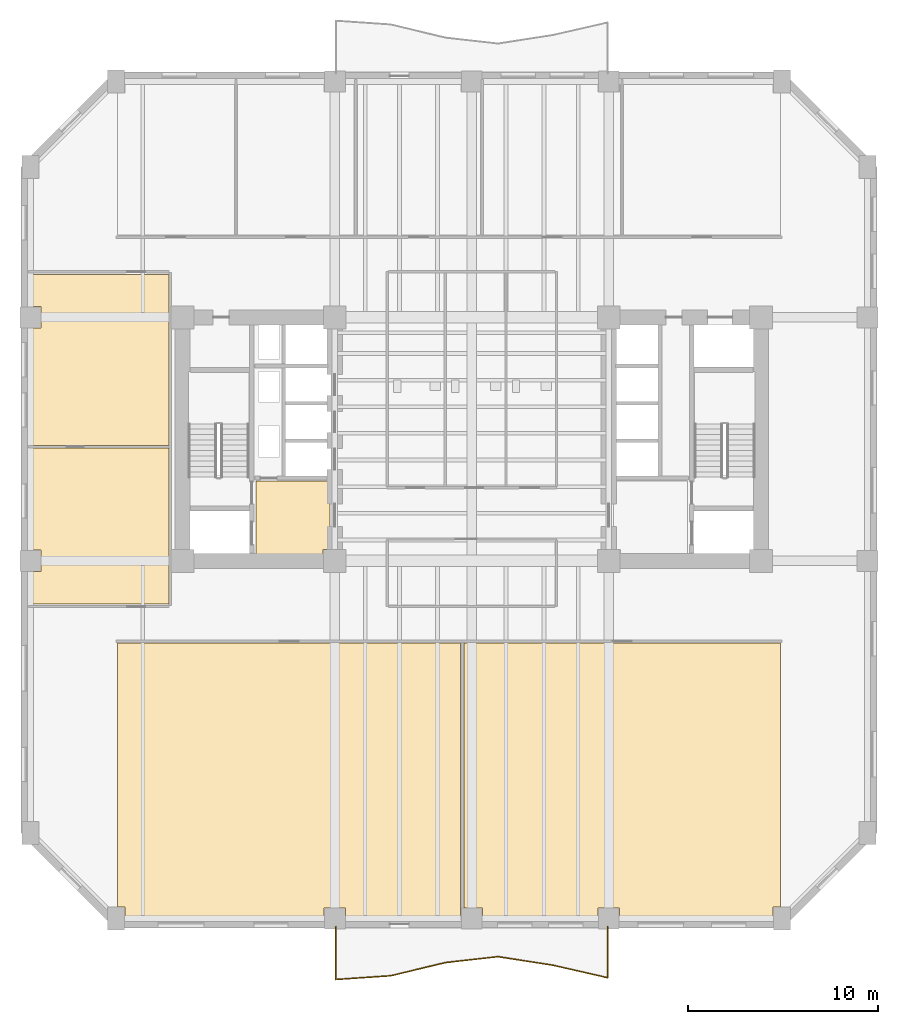
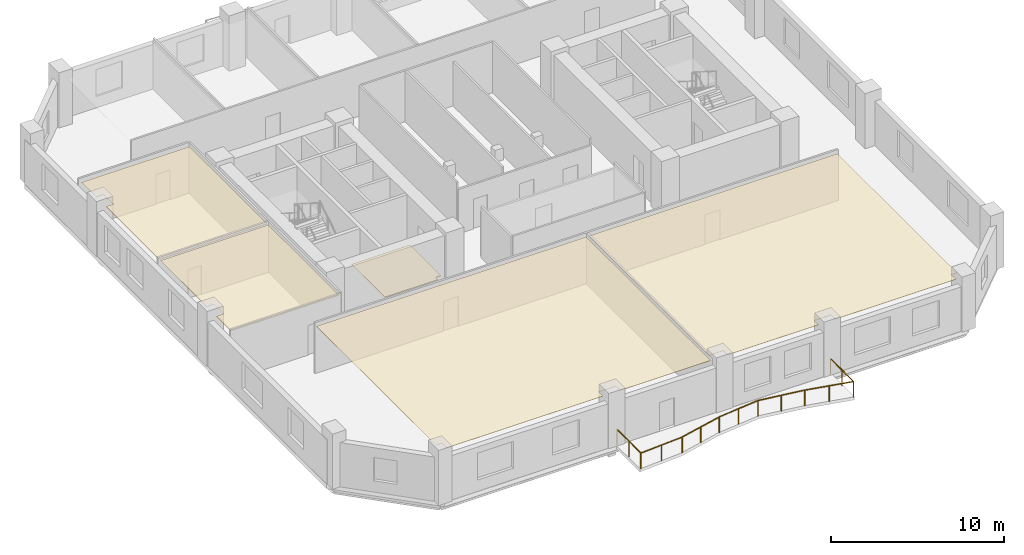
# One storey, part 6 of 9: 5 coverings, 1 railing.
"""IFC4 building model written with IfcOpenShell, lengths in metres."""

from ifc_helpers import new_model, si_unit, direction, frame, origin, origin_2d, place, context, subcontext, project, spatial, polyline, circle, outline, extrude, material, layer, layer_set, type_object, element, save


model = new_model("IFC4")

# Units and contexts
model_context = context("Model", 3, precision=1e-05, world=origin(), true_north=direction((0.0, 1.0)))
body_context = subcontext(model_context, "Body", "Model", "MODEL_VIEW")
ifc_project = project(units=[si_unit("LENGTHUNIT", "METRE"), si_unit("AREAUNIT", "SQUARE_METRE"), si_unit("VOLUMEUNIT", "CUBIC_METRE"), si_unit("PLANEANGLEUNIT", "RADIAN"), si_unit("MASSUNIT", "GRAM", prefix="KILO")], contexts=[model_context])

# Site, building, storey
site_placement = place(None, origin())
site = spatial("IfcSite", under=ifc_project, at=site_placement, CompositionType="ELEMENT")
building_placement = place(site_placement, origin())
building = spatial("IfcBuilding", under=site, at=building_placement, Name="Kranthara Brick Stack", CompositionType="ELEMENT")
storey_placement = place(building_placement, frame((0.0, 0.0, 28.199951171875)))
storey = spatial("IfcBuildingStorey", under=building, at=storey_placement, Name="L06", CompositionType="ELEMENT", Elevation=28.199951171875)

# Coverings
ifc_material_1 = material(Name="Perforated mineral-fibre acoustic ceiling tile", Category="other")
ifc_layer_1 = layer(ifc_material_1, 0.02490234375)
ifc_layer_set_1 = layer_set([ifc_layer_1], Name="Perforated mineral-fibre acoustic ceiling tile")
covering_type_1 = type_object("IfcCoveringType", Name="COV-CEIL-ACOUSTIC", PredefinedType="CEILING", material=ifc_layer_set_1)
covering_1_placement = place(storey_placement, frame((0.0, 0.0, 3.330078125)))
element("IfcCovering", 1, at=covering_1_placement, inside=storey, type_object=covering_type_1, Name="L06 L06 Open Plan Workspace 1 Acoustic Ceiling", PredefinedType="CEILING", context=body_context, shape_type="SweptSolid", body=[
    extrude(outline(polyline([(27.419921875, 16.47998046875), (27.419921875, 2.070068359375), (21.360107421875, 2.070068359375), (21.360107421875, 2.56005859375), (20.239990234375, 2.56005859375), (20.239990234375, 2.070068359375), (9.760009765625, 2.070068359375), (9.760009765625, 2.610107421875), (9.3798828125, 2.610107421875), (9.3798828125, 16.47998046875), (27.419921875, 16.47998046875)])), origin(), (0.0, 0.0, 1.0), 0.02490234375),
])
covering_2_placement = place(storey_placement, frame((0.0, 0.0, 3.330078125)))
element("IfcCovering", 2, at=covering_2_placement, inside=storey, type_object=covering_type_1, Name="L06 L06 Collaboration Lounge 2 Acoustic Ceiling", PredefinedType="CEILING", context=body_context, shape_type="SweptSolid", body=[
    extrude(outline(polyline([(44.219970703125, 2.610107421875), (43.840087890625, 2.610107421875), (43.840087890625, 2.070068359375), (35.760009765625, 2.070068359375), (35.760009765625, 2.56005859375), (34.639892578125, 2.56005859375), (34.639892578125, 2.070068359375), (28.56005859375, 2.070068359375), (28.56005859375, 2.56005859375), (27.580078125, 2.56005859375), (27.580078125, 16.47998046875), (44.219970703125, 16.47998046875), (44.219970703125, 2.610107421875)])), origin(), (0.0, 0.0, 1.0), 0.02490234375),
])
covering_3_placement = place(storey_placement, frame((0.0, 0.0, 3.330078125)))
element("IfcCovering", 3, at=covering_3_placement, inside=storey, type_object=covering_type_1, Name="L06 L06 West Executive Office 1 Acoustic Ceiling", PredefinedType="CEILING", context=body_context, shape_type="SweptSolid", body=[
    extrude(outline(polyline([(4.8701171875, 26.739990234375), (12.080078125, 26.739990234375), (12.080078125, 18.5400390625), (4.8701171875, 18.5400390625), (4.8701171875, 20.239990234375), (5.360107421875, 20.239990234375), (5.360107421875, 21.360107421875), (4.8701171875, 21.360107421875), (4.8701171875, 26.739990234375)])), origin(), (0.0, 0.0, 1.0), 0.02490234375),
])
covering_4_placement = place(storey_placement, frame((0.0, 0.0, 3.330078125)))
element("IfcCovering", 4, at=covering_4_placement, inside=storey, type_object=covering_type_1, Name="L06 L06 West Executive Office 2 Acoustic Ceiling", PredefinedType="CEILING", context=body_context, shape_type="SweptSolid", body=[
    extrude(outline(polyline([(4.8701171875, 35.860107421875), (12.080078125, 35.860107421875), (12.080078125, 26.860107421875), (4.8701171875, 26.860107421875), (4.8701171875, 33.0400390625), (5.360107421875, 33.0400390625), (5.360107421875, 34.159912109375), (4.8701171875, 34.159912109375), (4.8701171875, 35.860107421875)])), origin(), (0.0, 0.0, 1.0), 0.02490234375),
])
ifc_material_2 = material(Name="Honed terrazzo and porcelain floor finish", Category="stone")
ifc_layer_2 = layer(ifc_material_2, 0.030029296875)
ifc_layer_set_2 = layer_set([ifc_layer_2], Name="Honed terrazzo and porcelain floor finish")
covering_type_2 = type_object("IfcCoveringType", Name="COV-FLOR-STONE", PredefinedType="FLOORING", material=ifc_layer_set_2)
covering_5_placement = place(storey_placement, origin())
element("IfcCovering", 5, at=covering_5_placement, inside=storey, type_object=covering_type_2, Name="L06 Lift Lobby Stone Flooring", PredefinedType="FLOORING", context=body_context, shape_type="SweptSolid", body=[
    extrude(outline(polyline([(16.64990234375, 21.14990234375), (16.64990234375, 25.0), (20.550048828125, 25.0), (20.550048828125, 21.409912109375), (20.18994140625, 21.409912109375), (20.18994140625, 21.14990234375), (16.64990234375, 21.14990234375)])), origin(), (0.0, 0.0, 1.0), 0.030029296875),
])

# Railing
ifc_material_3 = material(Name="Bronze anodised aluminium and laminated glass balustrade", Category="aluminium")
railing_type = type_object("IfcRailingType", Name="RL-BALC-1120", PredefinedType="BALUSTRADE", material=ifc_material_3)
railing_placement = place(storey_placement, frame((35.139892578125, 1.56005859375, 0.0)))
element("IfcRailing", 6, at=railing_placement, inside=storey, type_object=railing_type, Name="L06 South Rippling Balcony Balustrade", PredefinedType="BALUSTRADE", context=body_context, shape_type="SweptSolid", body=[
    extrude(circle(Radius=0.02392578125, at=origin_2d()), frame((0.0, 0.0, 1.09619140625), z_axis=(0.000182431813, -0.999999983359, 0.0), x_axis=(0.999999983359, 0.000182431813, 0.0)), (0.0, 0.0, 1.0), 2.676513671875),
    extrude(circle(Radius=0.02392578125, at=origin_2d()), frame((0.00048828125, -2.676513671875, 1.09619140625), z_axis=(-0.974794875176, 0.223103006101, 0.0), x_axis=(-0.223103006101, -0.974794875176, 0.0)), (0.0, 0.0, 1.0), 2.95458984375),
    extrude(circle(Radius=0.02392578125, at=origin_2d()), frame((-2.879638671875, -2.017333984375, 1.09619140625), z_axis=(-0.988153760803, 0.153467081196, 0.0), x_axis=(-0.153467081196, -0.988153760803, 0.0)), (0.0, 0.0, 1.0), 2.914306640625),
    extrude(circle(Radius=0.02392578125, at=origin_2d()), frame((-5.759521484375, -1.570068359375, 1.09619140625), z_axis=(-0.9937533836, -0.111598443467, 0.0), x_axis=(0.111598443467, -0.9937533836, 0.0)), (0.0, 0.0, 1.0), 2.7783203125),
    extrude(circle(Radius=0.02392578125, at=origin_2d()), frame((-8.5205078125, -1.880126953125, 1.09619140625), z_axis=(-0.972270495095, -0.23385911222, 0.0), x_axis=(0.23385911222, -0.972270495095, 0.0)), (0.0, 0.0, 1.0), 2.962890625),
    extrude(circle(Radius=0.02392578125, at=origin_2d()), frame((-11.401123046875, -2.572998046875, 1.09619140625), z_axis=(-0.997649908643, -0.068517587417, 0.0), x_axis=(0.068517587417, -0.997649908643, 0.0)), (0.0, 0.0, 1.0), 2.88623046875),
    extrude(circle(Radius=0.02392578125, at=origin_2d()), frame((-14.280517578125, -2.770751953125, 1.09619140625), z_axis=(0.000264340461, 0.999999965062, 0.0), x_axis=(-0.999999965062, 0.000264340461, 0.0)), (0.0, 0.0, 1.0), 2.770751953125),
    extrude(circle(Radius=0.02099609375, at=origin_2d()), origin(), (0.0, 0.0, 1.0), 1.072021484375),
    extrude(circle(Radius=0.02099609375, at=origin_2d()), frame((0.000244140625, -1.33837890625, 0.0)), (0.0, 0.0, 1.0), 1.072021484375),
    extrude(circle(Radius=0.02099609375, at=origin_2d()), frame((0.00048828125, -2.676513671875, 0.0)), (0.0, 0.0, 1.0), 1.072021484375),
    extrude(circle(Radius=0.02099609375, at=origin_2d()), frame((-1.439453125, -2.346923828125, 0.0)), (0.0, 0.0, 1.0), 1.072021484375),
    extrude(circle(Radius=0.02099609375, at=origin_2d()), frame((-2.879638671875, -2.017333984375, 0.0)), (0.0, 0.0, 1.0), 1.072021484375),
    extrude(circle(Radius=0.02099609375, at=origin_2d()), frame((-4.319580078125, -1.793701171875, 0.0)), (0.0, 0.0, 1.0), 1.072021484375),
    extrude(circle(Radius=0.02099609375, at=origin_2d()), frame((-5.759521484375, -1.570068359375, 0.0)), (0.0, 0.0, 1.0), 1.072021484375),
    extrude(circle(Radius=0.02099609375, at=origin_2d()), frame((-7.14013671875, -1.72509765625, 0.0)), (0.0, 0.0, 1.0), 1.072021484375),
    extrude(circle(Radius=0.02099609375, at=origin_2d()), frame((-8.5205078125, -1.880126953125, 0.0)), (0.0, 0.0, 1.0), 1.072021484375),
    extrude(circle(Radius=0.02099609375, at=origin_2d()), frame((-9.9609375, -2.2265625, 0.0)), (0.0, 0.0, 1.0), 1.072021484375),
    extrude(circle(Radius=0.02099609375, at=origin_2d()), frame((-11.401123046875, -2.572998046875, 0.0)), (0.0, 0.0, 1.0), 1.072021484375),
    extrude(circle(Radius=0.02099609375, at=origin_2d()), frame((-12.8408203125, -2.671875, 0.0)), (0.0, 0.0, 1.0), 1.072021484375),
    extrude(circle(Radius=0.02099609375, at=origin_2d()), frame((-14.280517578125, -2.770751953125, 0.0)), (0.0, 0.0, 1.0), 1.072021484375),
    extrude(circle(Radius=0.02099609375, at=origin_2d()), frame((-14.2802734375, -1.38525390625, 0.0)), (0.0, 0.0, 1.0), 1.072021484375),
    extrude(circle(Radius=0.02099609375, at=origin_2d()), frame((-14.27978515625, 0.0, 0.0)), (0.0, 0.0, 1.0), 1.072021484375),
])

save(model, "model.ifc")
